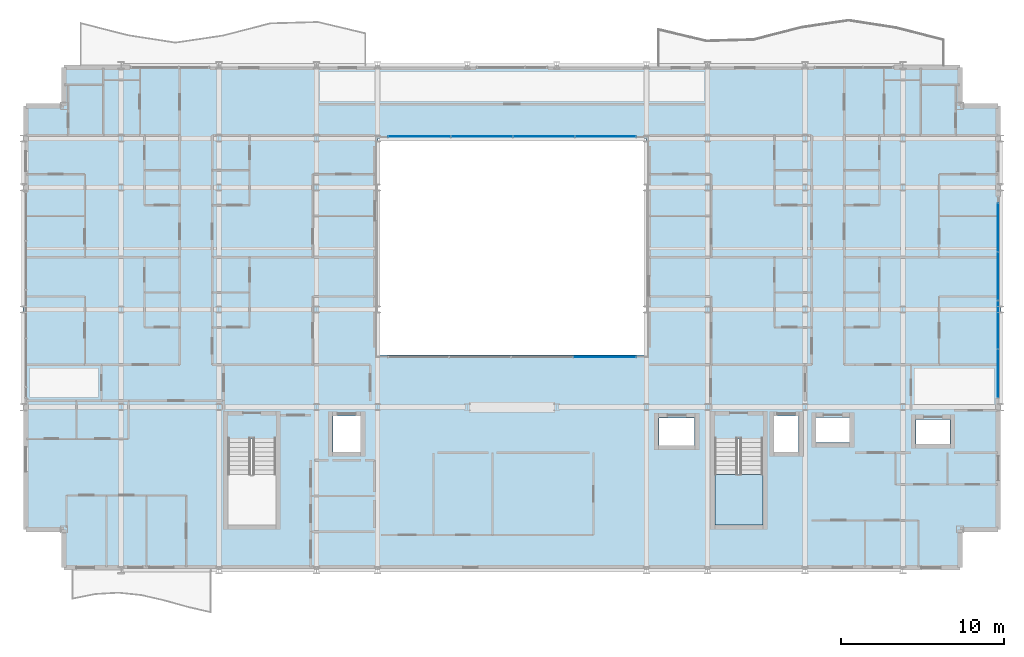
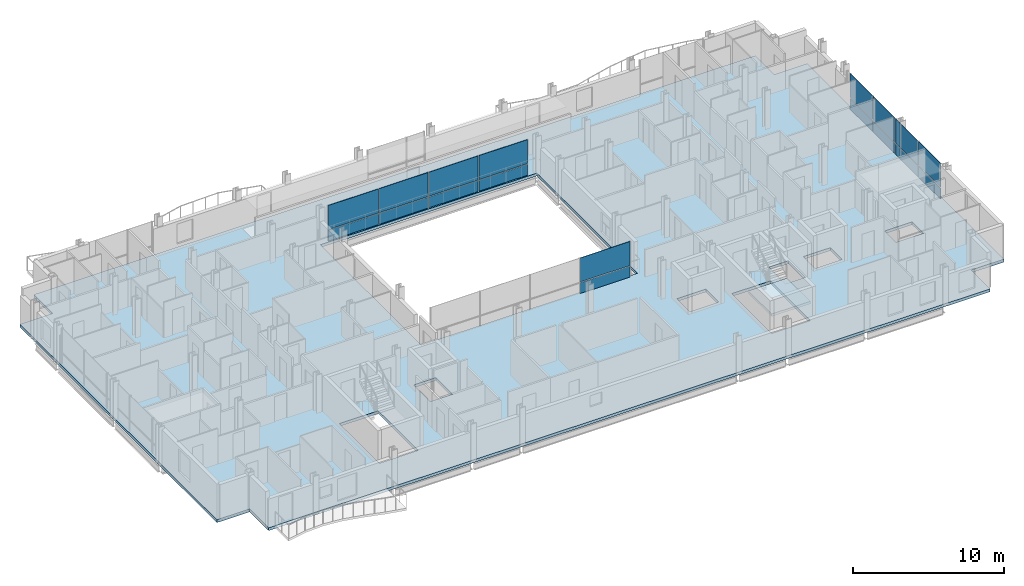
# One storey, part 27 of 40: 18 plates, 2 slabs, 4 elements without a shape of their own.
"""IFC4 building model written with IfcOpenShell, lengths in metres."""

from ifc_helpers import new_model, si_unit, direction, frame, origin, origin_2d, place, context, subcontext, project, spatial, polyline, rectangle, outline, extrude, material, layer, layer_set, type_object, element, aggregate, save


model = new_model("IFC4")

# Units and contexts
model_context = context("Model", 3, precision=1e-05, world=origin(), true_north=direction((0.0, 1.0)))
body_context = subcontext(model_context, "Body", "Model", "MODEL_VIEW")
ifc_project = project(units=[si_unit("LENGTHUNIT", "METRE"), si_unit("AREAUNIT", "SQUARE_METRE"), si_unit("VOLUMEUNIT", "CUBIC_METRE"), si_unit("PLANEANGLEUNIT", "RADIAN"), si_unit("MASSUNIT", "GRAM", prefix="KILO")], contexts=[model_context])

# Site, building, storey
site_placement = place(None, origin())
site = spatial("IfcSite", under=ifc_project, at=site_placement, CompositionType="ELEMENT")
building_placement = place(site_placement, origin())
building = spatial("IfcBuilding", under=site, at=building_placement, Name="Brevholm Reach", CompositionType="ELEMENT")
storey_placement = place(building_placement, frame((0.0, 0.0, 80.699951171875)))
storey = spatial("IfcBuildingStorey", under=building, at=storey_placement, Name="L23", CompositionType="ELEMENT", Elevation=80.699951171875)

# Curtain wall, plates
ifc_material_1 = material(Name="Dark Anodised Aluminium 6063-T6 and Solar-Control Glass", Category="aluminium")
ifc_layer_1 = layer(ifc_material_1, 0.14990234375)
ifc_layer_set_1 = layer_set([ifc_layer_1], Name="Dark Anodised Aluminium 6063-T6 and Solar-Control Glass")
curtain_wall_type_1 = type_object("IfcCurtainWallType", Name="CW-01", PredefinedType="NOTDEFINED", material=ifc_layer_set_1)
curtain_wall_1_placement = place(storey_placement, origin())
curtain_wall_1 = element("IfcCurtainWall", 1, at=curtain_wall_1_placement, inside=storey, type_object=curtain_wall_type_1, Name="L23 Curtain Wall CW-01", PredefinedType="NOTDEFINED")
ifc_material_2 = material(Name="Dark Solar-Control Double-Glazed IGU Glass", Category="glass")
ifc_layer_2 = layer(ifc_material_2, 0.028076171875)
ifc_layer_set_2 = layer_set([ifc_layer_2], Name="Dark Solar-Control Double-Glazed IGU Glass")
plate_type_1 = type_object("IfcPlateType", Name="CWP-GLZ-28", PredefinedType="CURTAIN_PANEL", material=ifc_layer_set_2)
plate_1_placement = place(storey_placement, frame((59.85009765625, 12.066162109375, 0.0), z_axis=(0.0, 0.0, 1.0), x_axis=(0.0, 1.0, 0.0)))
plate_1 = element("IfcPlate", 2, at=plate_1_placement, type_object=plate_type_1, Name="CP-01 Glazing Panel 1.1", PredefinedType="CURTAIN_PANEL", context=body_context, shape_type="SweptSolid", body=[
    extrude(rectangle(XDim=2.902587890625, YDim=0.028076171875, at=origin_2d()), origin(), (0.0, 0.0, 1.0), 0.867431640625),
])
plate_2_placement = place(storey_placement, frame((59.85009765625, 12.066162109375, 0.9326171875), z_axis=(0.0, 0.0, 1.0), x_axis=(0.0, 1.0, 0.0)))
plate_2 = element("IfcPlate", 3, at=plate_2_placement, type_object=plate_type_1, Name="CP-01 Glazing Panel 1.2", PredefinedType="CURTAIN_PANEL", context=body_context, shape_type="SweptSolid", body=[
    extrude(rectangle(XDim=2.902587890625, YDim=0.028076171875, at=origin_2d()), origin(), (0.0, 0.0, 1.0), 1.9375),
])
plate_3_placement = place(storey_placement, frame((59.85009765625, 15.050048828125, 0.0), z_axis=(0.0, 0.0, 1.0), x_axis=(0.0, 1.0, 0.0)))
plate_3 = element("IfcPlate", 4, at=plate_3_placement, type_object=plate_type_1, Name="CP-01 Glazing Panel 2.1", PredefinedType="CURTAIN_PANEL", context=body_context, shape_type="SweptSolid", body=[
    extrude(rectangle(XDim=2.93505859375, YDim=0.028076171875, at=origin_2d()), origin(), (0.0, 0.0, 1.0), 0.867431640625),
])
plate_4_placement = place(storey_placement, frame((59.85009765625, 15.050048828125, 0.9326171875), z_axis=(0.0, 0.0, 1.0), x_axis=(0.0, 1.0, 0.0)))
plate_4 = element("IfcPlate", 5, at=plate_4_placement, type_object=plate_type_1, Name="CP-01 Glazing Panel 2.2", PredefinedType="CURTAIN_PANEL", context=body_context, shape_type="SweptSolid", body=[
    extrude(rectangle(XDim=2.93505859375, YDim=0.028076171875, at=origin_2d()), origin(), (0.0, 0.0, 1.0), 1.9375),
])
plate_5_placement = place(storey_placement, frame((59.85009765625, 18.050048828125, 0.0), z_axis=(0.0, 0.0, 1.0), x_axis=(0.0, 1.0, 0.0)))
plate_5 = element("IfcPlate", 6, at=plate_5_placement, type_object=plate_type_1, Name="CP-01 Glazing Panel 3.1", PredefinedType="CURTAIN_PANEL", context=body_context, shape_type="SweptSolid", body=[
    extrude(rectangle(XDim=2.93505859375, YDim=0.028076171875, at=origin_2d()), origin(), (0.0, 0.0, 1.0), 0.867431640625),
])
plate_6_placement = place(storey_placement, frame((59.85009765625, 18.050048828125, 0.9326171875), z_axis=(0.0, 0.0, 1.0), x_axis=(0.0, 1.0, 0.0)))
plate_6 = element("IfcPlate", 7, at=plate_6_placement, type_object=plate_type_1, Name="CP-01 Glazing Panel 3.2", PredefinedType="CURTAIN_PANEL", context=body_context, shape_type="SweptSolid", body=[
    extrude(rectangle(XDim=2.93505859375, YDim=0.028076171875, at=origin_2d()), origin(), (0.0, 0.0, 1.0), 1.9375),
])
plate_7_placement = place(storey_placement, frame((59.85009765625, 21.050048828125, 0.0), z_axis=(0.0, 0.0, 1.0), x_axis=(0.0, 1.0, 0.0)))
plate_7 = element("IfcPlate", 8, at=plate_7_placement, type_object=plate_type_1, Name="CP-01 Glazing Panel 4.1", PredefinedType="CURTAIN_PANEL", context=body_context, shape_type="SweptSolid", body=[
    extrude(rectangle(XDim=2.93505859375, YDim=0.028076171875, at=origin_2d()), origin(), (0.0, 0.0, 1.0), 0.867431640625),
])
plate_8_placement = place(storey_placement, frame((59.85009765625, 21.050048828125, 0.9326171875), z_axis=(0.0, 0.0, 1.0), x_axis=(0.0, 1.0, 0.0)))
plate_8 = element("IfcPlate", 9, at=plate_8_placement, type_object=plate_type_1, Name="CP-01 Glazing Panel 4.2", PredefinedType="CURTAIN_PANEL", context=body_context, shape_type="SweptSolid", body=[
    extrude(rectangle(XDim=2.93505859375, YDim=0.028076171875, at=origin_2d()), origin(), (0.0, 0.0, 1.0), 1.9375),
])
aggregate(curtain_wall_1, [plate_1, plate_2, plate_3, plate_4, plate_5, plate_6, plate_7, plate_8])

ifc_material_3 = material(Name="Dark Anodised Aluminium 6063-T6 and Solar-Control Glass", Category="aluminium")
ifc_layer_3 = layer(ifc_material_3, 0.139892578125)
ifc_layer_set_3 = layer_set([ifc_layer_3], Name="Dark Anodised Aluminium 6063-T6 and Solar-Control Glass")
curtain_wall_type_2 = type_object("IfcCurtainWallType", Name="CW-02", PredefinedType="NOTDEFINED", material=ifc_layer_set_3)
curtain_wall_2_placement = place(storey_placement, origin())
curtain_wall_2 = element("IfcCurtainWall", 10, at=curtain_wall_2_placement, inside=storey, type_object=curtain_wall_type_2, Name="L23 Curtain Wall CW-02", PredefinedType="NOTDEFINED")
ifc_material_4 = material(Name="Low-Iron Laminated Acoustic Glass", Category="glass")
ifc_layer_4 = layer(ifc_material_4, 0.035888671875)
ifc_layer_set_4 = layer_set([ifc_layer_4], Name="Low-Iron Laminated Acoustic Glass")
plate_type_2 = type_object("IfcPlateType", Name="CWP-GLZ-36", PredefinedType="CURTAIN_PANEL", material=ifc_layer_set_4)
plate_9_placement = place(storey_placement, frame((35.68505859375, 13.080078125, 0.0), z_axis=(0.0, 0.0, 1.0), x_axis=(1.0, 0.0, 0.0)))
plate_9 = element("IfcPlate", 11, at=plate_9_placement, type_object=plate_type_2, Name="CP-02 Glazing Panel 4.1", PredefinedType="CURTAIN_PANEL", context=body_context, shape_type="SweptSolid", body=[
    extrude(rectangle(XDim=3.81005859375, YDim=0.035888671875, at=origin_2d()), origin(), (0.0, 0.0, 1.0), 0.8701171875),
])
plate_10_placement = place(storey_placement, frame((35.68505859375, 13.080078125, 0.93017578125), z_axis=(0.0, 0.0, 1.0), x_axis=(1.0, 0.0, 0.0)))
plate_10 = element("IfcPlate", 12, at=plate_10_placement, type_object=plate_type_2, Name="CP-02 Glazing Panel 4.2", PredefinedType="CURTAIN_PANEL", context=body_context, shape_type="SweptSolid", body=[
    extrude(rectangle(XDim=3.81005859375, YDim=0.035888671875, at=origin_2d()), origin(), (0.0, 0.0, 1.0), 1.93994140625),
])
aggregate(curtain_wall_2, [plate_9, plate_10])

curtain_wall_3_placement = place(storey_placement, origin())
curtain_wall_3 = element("IfcCurtainWall", 13, at=curtain_wall_3_placement, inside=storey, type_object=curtain_wall_type_2, Name="L23 Curtain Wall CW-02", PredefinedType="NOTDEFINED")
plate_11_placement = place(storey_placement, frame((35.735107421875, 26.6201171875, 0.0), z_axis=(0.0, 0.0, 1.0), x_axis=(-1.0, 0.0, 0.0)))
plate_11 = element("IfcPlate", 14, at=plate_11_placement, type_object=plate_type_2, Name="CP-02 Glazing Panel 1.1", PredefinedType="CURTAIN_PANEL", context=body_context, shape_type="SweptSolid", body=[
    extrude(rectangle(XDim=3.7099609375, YDim=0.035888671875, at=origin_2d()), origin(), (0.0, 0.0, 1.0), 0.8701171875),
])
plate_12_placement = place(storey_placement, frame((35.735107421875, 26.6201171875, 0.93017578125), z_axis=(0.0, 0.0, 1.0), x_axis=(-1.0, 0.0, 0.0)))
plate_12 = element("IfcPlate", 15, at=plate_12_placement, type_object=plate_type_2, Name="CP-02 Glazing Panel 1.2", PredefinedType="CURTAIN_PANEL", context=body_context, shape_type="SweptSolid", body=[
    extrude(rectangle(XDim=3.7099609375, YDim=0.035888671875, at=origin_2d()), origin(), (0.0, 0.0, 1.0), 1.93994140625),
])
plate_13_placement = place(storey_placement, frame((31.949951171875, 26.6201171875, 0.0), z_axis=(0.0, 0.0, 1.0), x_axis=(-1.0, 0.0, 0.0)))
plate_13 = element("IfcPlate", 16, at=plate_13_placement, type_object=plate_type_2, Name="CP-02 Glazing Panel 2.1", PredefinedType="CURTAIN_PANEL", context=body_context, shape_type="SweptSolid", body=[
    extrude(rectangle(XDim=3.739990234375, YDim=0.035888671875, at=origin_2d()), origin(), (0.0, 0.0, 1.0), 0.8701171875),
])
plate_14_placement = place(storey_placement, frame((31.949951171875, 26.6201171875, 0.93017578125), z_axis=(0.0, 0.0, 1.0), x_axis=(-1.0, 0.0, 0.0)))
plate_14 = element("IfcPlate", 17, at=plate_14_placement, type_object=plate_type_2, Name="CP-02 Glazing Panel 2.2", PredefinedType="CURTAIN_PANEL", context=body_context, shape_type="SweptSolid", body=[
    extrude(rectangle(XDim=3.739990234375, YDim=0.035888671875, at=origin_2d()), origin(), (0.0, 0.0, 1.0), 1.93994140625),
])
plate_15_placement = place(storey_placement, frame((28.14990234375, 26.6201171875, 0.0), z_axis=(0.0, 0.0, 1.0), x_axis=(-1.0, 0.0, 0.0)))
plate_15 = element("IfcPlate", 18, at=plate_15_placement, type_object=plate_type_2, Name="CP-02 Glazing Panel 3.1", PredefinedType="CURTAIN_PANEL", context=body_context, shape_type="SweptSolid", body=[
    extrude(rectangle(XDim=3.739990234375, YDim=0.035888671875, at=origin_2d()), origin(), (0.0, 0.0, 1.0), 0.8701171875),
])
plate_16_placement = place(storey_placement, frame((28.14990234375, 26.6201171875, 0.93017578125), z_axis=(0.0, 0.0, 1.0), x_axis=(-1.0, 0.0, 0.0)))
plate_16 = element("IfcPlate", 19, at=plate_16_placement, type_object=plate_type_2, Name="CP-02 Glazing Panel 3.2", PredefinedType="CURTAIN_PANEL", context=body_context, shape_type="SweptSolid", body=[
    extrude(rectangle(XDim=3.739990234375, YDim=0.035888671875, at=origin_2d()), origin(), (0.0, 0.0, 1.0), 1.93994140625),
])
plate_17_placement = place(storey_placement, frame((24.31494140625, 26.6201171875, 0.0), z_axis=(0.0, 0.0, 1.0), x_axis=(-1.0, 0.0, 0.0)))
plate_17 = element("IfcPlate", 20, at=plate_17_placement, type_object=plate_type_2, Name="CP-02 Glazing Panel 4.1", PredefinedType="CURTAIN_PANEL", context=body_context, shape_type="SweptSolid", body=[
    extrude(rectangle(XDim=3.81005859375, YDim=0.035888671875, at=origin_2d()), origin(), (0.0, 0.0, 1.0), 0.8701171875),
])
plate_18_placement = place(storey_placement, frame((24.31494140625, 26.6201171875, 0.93017578125), z_axis=(0.0, 0.0, 1.0), x_axis=(-1.0, 0.0, 0.0)))
plate_18 = element("IfcPlate", 21, at=plate_18_placement, type_object=plate_type_2, Name="CP-02 Glazing Panel 4.2", PredefinedType="CURTAIN_PANEL", context=body_context, shape_type="SweptSolid", body=[
    extrude(rectangle(XDim=3.81005859375, YDim=0.035888671875, at=origin_2d()), origin(), (0.0, 0.0, 1.0), 1.93994140625),
])
aggregate(curtain_wall_3, [plate_11, plate_12, plate_13, plate_14, plate_15, plate_16, plate_17, plate_18])

# Slab
ifc_material_5 = material(Name="Concrete C40/50", Category="concrete")
ifc_layer_5 = layer(ifc_material_5, 0.22998046875)
ifc_layer_set_5 = layer_set([ifc_layer_5], Name="Concrete C40/50")
slab_type_1 = type_object("IfcSlabType", Name="SLB-FL-230", PredefinedType="FLOOR", material=ifc_layer_set_5)
slab_1_placement = place(storey_placement, frame((0.0, 0.0, -0.22998046875)))
element("IfcSlab", 22, at=slab_1_placement, inside=storey, type_object=slab_type_1, Name="L23 Suspended Floor Slab (main)", PredefinedType="FLOOR", context=body_context, shape_type="SweptSolid", body=[
    extrude(outline(polyline([(2.5, 0.0), (57.5, 0.0), (57.5, 2.5), (60.0, 2.5), (60.0, 28.5), (57.5, 28.5), (57.5, 31.0), (2.5, 31.0), (2.5, 28.5), (0.0, 28.5), (0.0, 2.5), (2.5, 2.5), (2.5, 0.0)]), holes=[polyline([(21.75, 13.199951171875), (38.25, 13.199951171875), (38.25, 26.5), (21.75, 26.5), (21.75, 13.199951171875)]), polyline([(12.550048828125, 2.780029296875), (15.5, 2.780029296875), (15.5, 8.044921875), (12.550048828125, 8.044921875), (12.550048828125, 2.780029296875)]), polyline([(42.449951171875, 2.780029296875), (45.39990234375, 2.780029296875), (45.39990234375, 8.044921875), (42.449951171875, 8.044921875), (42.449951171875, 2.780029296875)]), polyline([(19.0, 7.25), (20.699951171875, 7.25), (20.699951171875, 9.449951171875), (19.0, 9.449951171875), (19.0, 7.25)]), polyline([(46.10009765625, 7.25), (47.60009765625, 7.25), (47.60009765625, 9.449951171875), (46.10009765625, 9.449951171875), (46.10009765625, 7.25)]), polyline([(48.675048828125, 7.824951171875), (50.72509765625, 7.824951171875), (50.72509765625, 9.375), (48.675048828125, 9.375), (48.675048828125, 7.824951171875)]), polyline([(54.800048828125, 7.75), (56.89990234375, 7.75), (56.89990234375, 9.25), (54.800048828125, 9.25), (54.800048828125, 7.75)]), polyline([(39.02001953125, 7.64990234375), (41.219970703125, 7.64990234375), (41.219970703125, 9.35009765625), (39.02001953125, 9.35009765625), (39.02001953125, 7.64990234375)])]), origin(), (0.0, 0.0, 1.0), 0.22998046875),
])

# Stair, slab
ifc_material_6 = material(Name="Precast Concrete C40/50", Category="concrete")
stair_type = type_object("IfcStairType", Name="STR-ESC-1400", PredefinedType="DOUBLE_RETURN_STAIR", material=ifc_material_6)
stair_placement = place(storey_placement, origin())
stair = element("IfcStair", 23, at=stair_placement, inside=storey, type_object=stair_type, Name="L23 ST-2", PredefinedType="DOUBLE_RETURN_STAIR")
ifc_material_7 = material(Name="Concrete C40/50", Category="concrete")
ifc_layer_6 = layer(ifc_material_7, 0.199951171875)
ifc_layer_set_6 = layer_set([ifc_layer_6], Name="Concrete C40/50")
slab_type_2 = type_object("IfcSlabType", Name="SLB-LND-200", PredefinedType="LANDING", material=ifc_layer_set_6)
slab_2_placement = place(storey_placement, frame((0.0, 0.0, 1.35009765625)))
slab_2 = element("IfcSlab", 24, at=slab_2_placement, type_object=slab_type_2, Name="ST-2 landing 1", PredefinedType="LANDING", context=body_context, shape_type="SweptSolid", body=[
    extrude(outline(polyline([(42.449951171875, 5.860107421875), (42.449951171875, 2.780029296875), (45.39990234375, 2.780029296875), (45.39990234375, 5.860107421875), (42.449951171875, 5.860107421875)])), origin(), (0.0, 0.0, 1.0), 0.199951171875),
])
aggregate(stair, [slab_2])

save(model, "model.ifc")
